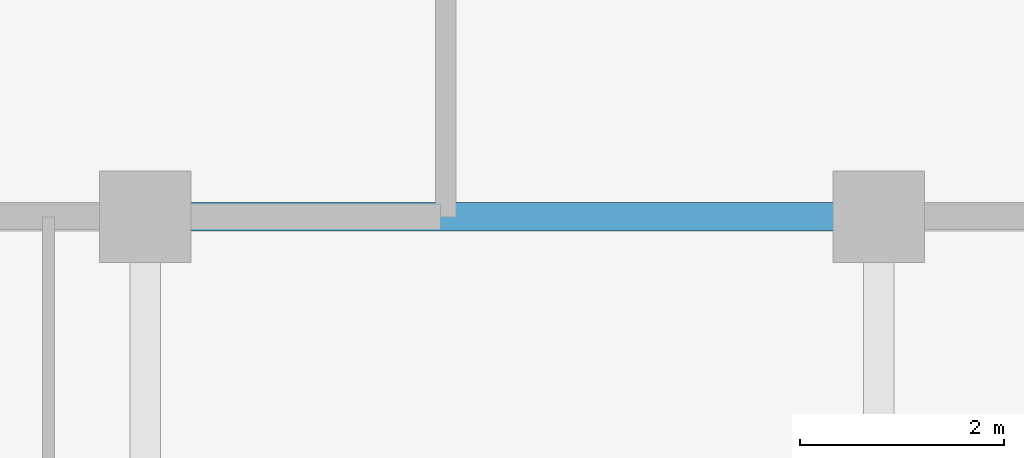
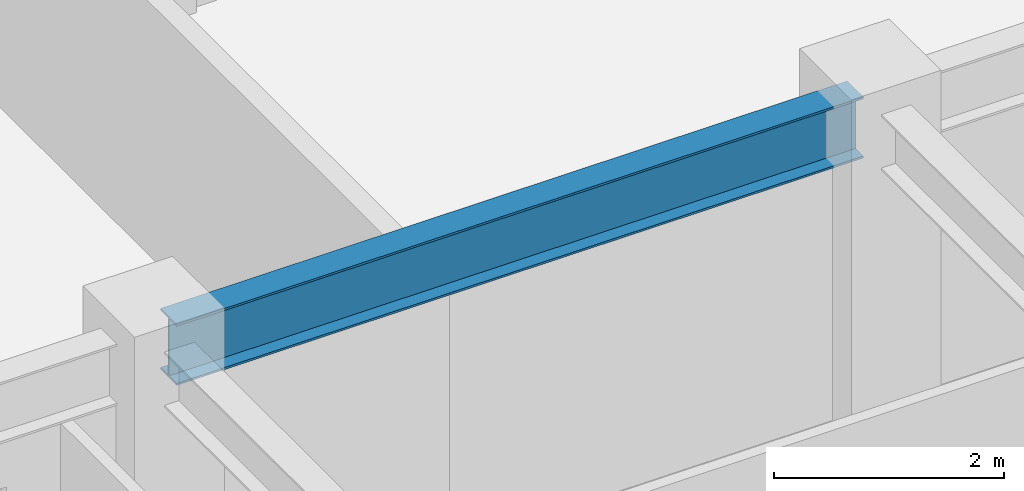
# One storey, part 6 of 22: 1 beam.
"""IFC4 building model written with IfcOpenShell, lengths in metres."""

from ifc_helpers import new_model, si_unit, direction, frame, origin, origin_2d, place, context, subcontext, project, spatial, i_section, extrude, source, transform, mapped, material, material_profile, profile_set, type_object, element, save


model = new_model("IFC4")

# Units and contexts
model_context = context("Model", 3, precision=1e-05, world=origin(), true_north=direction((0.0, 1.0)))
body_context = subcontext(model_context, "Body", "Model", "MODEL_VIEW")
ifc_project = project(units=[si_unit("LENGTHUNIT", "METRE"), si_unit("AREAUNIT", "SQUARE_METRE"), si_unit("VOLUMEUNIT", "CUBIC_METRE"), si_unit("PLANEANGLEUNIT", "RADIAN"), si_unit("MASSUNIT", "GRAM", prefix="KILO")], contexts=[model_context])

# Site, building, storey
site_placement = place(None, origin())
site = spatial("IfcSite", under=ifc_project, at=site_placement, CompositionType="ELEMENT")
building_placement = place(site_placement, origin())
building = spatial("IfcBuilding", under=site, at=building_placement, Name="Trelvane Seafront Commons", CompositionType="ELEMENT")
storey_placement = place(building_placement, frame((0.0, 0.0, 59.5)))
storey = spatial("IfcBuildingStorey", under=building, at=storey_placement, Name="L15", CompositionType="ELEMENT", Elevation=59.5)

# Beam
ifc_material = material(Name="Steel SM355 (S355)", Category="steel")
ifc_material_profile = material_profile(ifc_material, i_section(OverallWidth=0.280029296875, OverallDepth=0.64990234375, WebThickness=0.012939453125, FlangeThickness=0.02197265625, at=origin_2d()), Name="H-650x280x13x22")
ifc_profile_set = profile_set([ifc_material_profile], Name="Steel SM355 (S355)")
beam_type = type_object("IfcBeamType", Name="STR-BM-H650", PredefinedType="BEAM", material=ifc_profile_set)
shared_shape = source(origin(), body_context, "Body", "SweptSolid", [
    extrude(i_section(OverallWidth=0.280029296875, OverallDepth=0.64990234375, WebThickness=0.012939453125, FlangeThickness=0.02197265625, at=origin_2d()), origin(), (0.0, 0.0, 1.0), 6.89990234375),
])
beam_placement = place(storey_placement, frame((23.550048828125, 33.39990234375, 3.014892578125), z_axis=(1.0, 0.0, 0.0), x_axis=(0.0, 1.0, 0.0)))
element("IfcBeam", 1, at=beam_placement, inside=storey, type_object=beam_type, Name="L15 Primary Girder G-22", PredefinedType="BEAM", context=body_context, shape_type="MappedRepresentation", body=[
    mapped(shared_shape, transform((0.0, 0.0, 0.0), x_axis=(1.0, 0.0, 0.0), y_axis=(0.0, 1.0, 0.0), z_axis=(0.0, 0.0, 1.0), scale=1.0)),
])

save(model, "model.ifc")
